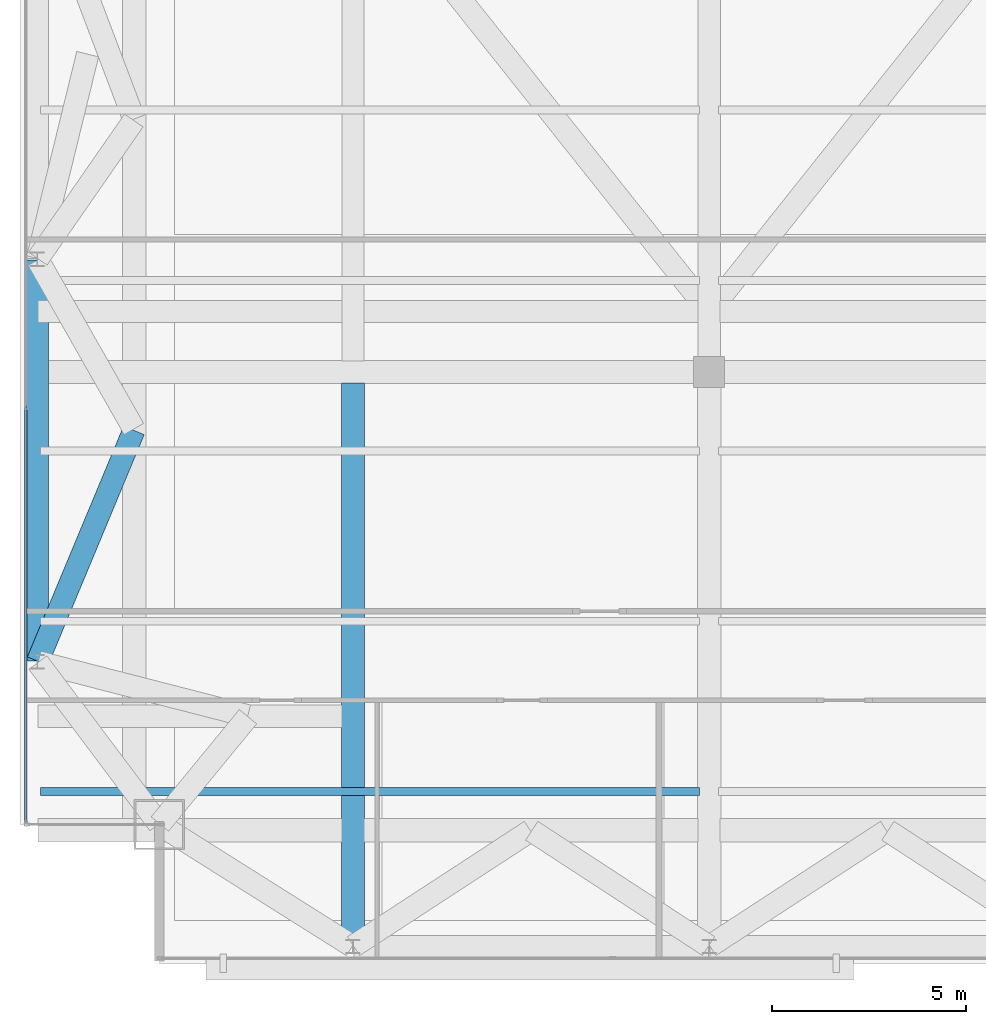
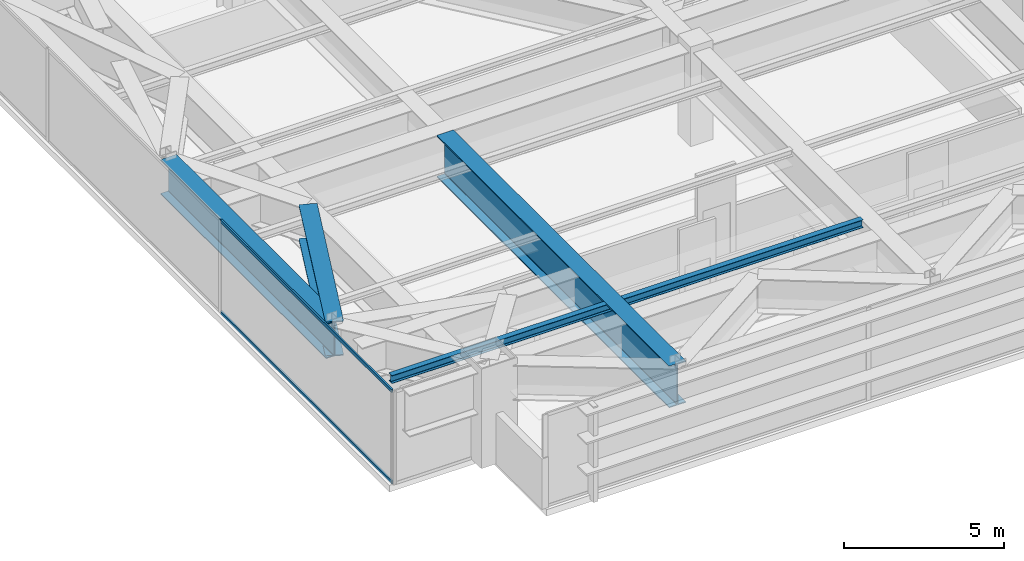
# One storey, part 6 of 26: 4 beams, 2 members, 1 element without a shape of its own.
"""IFC4 building model written with IfcOpenShell, lengths in metres."""

from ifc_helpers import new_model, si_unit, direction, frame, origin, origin_2d, place, context, subcontext, project, spatial, hollow_rectangle, i_section, extrude, source, transform, mapped, material, layer, layer_set, material_profile, profile_set, type_object, type_shapes, element, aggregate, save


model = new_model("IFC4")

# Units and contexts
model_context = context("Model", 3, precision=1e-05, world=origin(), true_north=direction((0.0, 1.0)))
body_context = subcontext(model_context, "Body", "Model", "MODEL_VIEW")
ifc_project = project(units=[si_unit("LENGTHUNIT", "METRE"), si_unit("AREAUNIT", "SQUARE_METRE"), si_unit("VOLUMEUNIT", "CUBIC_METRE"), si_unit("PLANEANGLEUNIT", "RADIAN"), si_unit("MASSUNIT", "GRAM", prefix="KILO")], contexts=[model_context])

# Site, building, storey
site_placement = place(None, origin())
site = spatial("IfcSite", under=ifc_project, at=site_placement, CompositionType="ELEMENT")
building_placement = place(site_placement, origin())
building = spatial("IfcBuilding", under=site, at=building_placement, Name="Varnel Quay Broadcast Tower", CompositionType="ELEMENT")
storey_placement = place(building_placement, frame((0.0, 0.0, 196.0)))
storey = spatial("IfcBuildingStorey", under=building, at=storey_placement, Name="L48", CompositionType="ELEMENT", Elevation=196.0)

# Beams
ifc_material_1 = material(Name="Structural Steel CSA G40.21 350WT", Category="steel")
ifc_material_profile_1 = material_profile(ifc_material_1, i_section(OverallWidth=0.580078125, OverallDepth=1.330078125, WebThickness=0.02197265625, FlangeThickness=0.0380859375, FilletRadius=0.02001953125, at=origin_2d()), Name="WWF1330X535")
ifc_profile_set_1 = profile_set([ifc_material_profile_1], Name="Structural Steel CSA G40.21 350WT")
beam_type_1 = type_object("IfcBeamType", Name="Girder_WWF1330X535", PredefinedType="BEAM", material=ifc_profile_set_1)
shared_shape_1 = source(origin(), body_context, "Body", "SweptSolid", [
    extrude(i_section(OverallWidth=0.580078125, OverallDepth=1.330078125, WebThickness=0.02197265625, FlangeThickness=0.0380859375, FilletRadius=0.02001953125, at=origin_2d()), origin(), (0.0, 0.0, 1.0), 10.35986328125),
])
beam_1_placement = place(storey_placement, frame((7.449951171875, 15.02001953125, 2.885009765625), z_axis=(0.0, 1.0, 0.0), x_axis=(-1.0, 0.0, 0.0)))
element("IfcBeam", 1, at=beam_1_placement, inside=storey, type_object=beam_type_1, Name="L48 West Transfer Spine TC-W1-TC-W2", PredefinedType="BEAM", context=body_context, shape_type="MappedRepresentation", body=[
    mapped(shared_shape_1, transform((0.0, 0.0, 0.0), x_axis=(1.0, 0.0, 0.0), y_axis=(0.0, 1.0, 0.0), z_axis=(0.0, 0.0, 1.0), scale=1.0)),
])
ifc_material_profile_2 = material_profile(ifc_material_1, i_section(OverallWidth=0.60009765625, OverallDepth=1.60009765625, WebThickness=0.02392578125, FlangeThickness=0.0419921875, FilletRadius=0.02197265625, at=origin_2d()), Name="WWF1600X620")
ifc_profile_set_2 = profile_set([ifc_material_profile_2], Name="Structural Steel CSA G40.21 350WT")
beam_type_2 = type_object("IfcBeamType", Name="Girder_WWF1600X620", PredefinedType="BEAM", material=ifc_profile_set_2)
shared_shape_2 = source(origin(), body_context, "Body", "SweptSolid", [
    extrude(i_section(OverallWidth=0.60009765625, OverallDepth=1.60009765625, WebThickness=0.02392578125, FlangeThickness=0.0419921875, FilletRadius=0.02197265625, at=origin_2d()), origin(), (0.0, 0.0, 1.0), 14.53515625),
])
type_shapes(beam_type_2, [shared_shape_2])
beam_2_placement = place(storey_placement, frame((15.60009765625, 7.669921875, 2.75), z_axis=(0.0, 1.0, 0.0), x_axis=(-1.0, 0.0, 0.0)))
element("IfcBeam", 2, at=beam_2_placement, inside=storey, type_object=beam_type_2, Name="L48 N-S Transfer Girder 1A", PredefinedType="BEAM", context=body_context, shape_type="MappedRepresentation", body=[
    mapped(shared_shape_2, transform((0.0, 0.0, 0.0), x_axis=(1.0, 0.0, 0.0), y_axis=(0.0, 1.0, 0.0), z_axis=(0.0, 0.0, 1.0), scale=1.0)),
])
shared_shape_3 = source(origin(), body_context, "Body", "SweptSolid", [
    extrude(i_section(OverallWidth=0.580078125, OverallDepth=1.330078125, WebThickness=0.02197265625, FlangeThickness=0.0380859375, FilletRadius=0.02001953125, at=origin_2d()), origin(), (0.0, 0.0, 1.0), 6.459716796875),
])
type_shapes(beam_type_1, [shared_shape_1, shared_shape_3])
beam_3_placement = place(storey_placement, frame((7.457763671875, 15.0185546875, 2.885009765625), z_axis=(0.384626118884, 0.923072450392, 0.0), x_axis=(-0.923072450392, 0.384626118884, 0.0)))
element("IfcBeam", 3, at=beam_3_placement, inside=storey, type_object=beam_type_1, Name="L48 Nodal Transfer Tie TC-W1-TC-W1", PredefinedType="BEAM", context=body_context, shape_type="MappedRepresentation", body=[
    mapped(shared_shape_3, transform((0.0, 0.0, 0.0), x_axis=(1.0, 0.0, 0.0), y_axis=(0.0, 1.0, 0.0), z_axis=(0.0, 0.0, 1.0), scale=1.0)),
])
ifc_material_2 = material(Name="Structural Steel CSA G40.21 350W", Category="steel")
ifc_material_profile_3 = material_profile(ifc_material_2, i_section(OverallWidth=0.202880859375, OverallDepth=0.302978515625, WebThickness=0.007568359375, FlangeThickness=0.01318359375, FilletRadius=0.011962890625, at=origin_2d()), Name="W310X60")
ifc_profile_set_3 = profile_set([ifc_material_profile_3], Name="Structural Steel CSA G40.21 350W")
beam_type_3 = type_object("IfcBeamType", Name="Beam_W310X60", PredefinedType="JOIST", material=ifc_profile_set_3)
shared_shape_4 = source(origin(), body_context, "Body", "SweptSolid", [
    extrude(i_section(OverallWidth=0.202880859375, OverallDepth=0.302978515625, WebThickness=0.007568359375, FlangeThickness=0.01318359375, FilletRadius=0.011962890625, at=origin_2d()), origin(), (0.0, 0.0, 1.0), 17.01953125),
])
type_shapes(beam_type_3, [shared_shape_4])
beam_4_placement = place(storey_placement, frame((7.535400390625, 11.64990234375, 3.3984375), z_axis=(1.0, 0.0, 0.0), x_axis=(0.0, 1.0, 0.0)))
element("IfcBeam", 4, at=beam_4_placement, inside=storey, type_object=beam_type_3, Name="L48 West Floor Joist 1", PredefinedType="JOIST", context=body_context, shape_type="MappedRepresentation", body=[
    mapped(shared_shape_4, transform((0.0, 0.0, 0.0), x_axis=(1.0, 0.0, 0.0), y_axis=(0.0, 1.0, 0.0), z_axis=(0.0, 0.0, 1.0), scale=1.0)),
])

# Curtain wall, members
ifc_material_3 = material(Name="Anodised Bronze Aluminium 6063-T6", Category="aluminium")
ifc_layer = layer(ifc_material_3, 0.18994140625, Name="Anodised Bronze Aluminium 6063-T6")
ifc_layer_set = layer_set([ifc_layer], Name="Anodised Bronze Aluminium 6063-T6")
curtain_wall_type = type_object("IfcCurtainWallType", Name="CW_UpperTower", PredefinedType="NOTDEFINED", material=ifc_layer_set)
curtain_wall_placement = place(storey_placement, origin())
curtain_wall = element("IfcCurtainWall", 5, at=curtain_wall_placement, inside=storey, type_object=curtain_wall_type, Name="L48 West Unitised Curtain Wall", PredefinedType="NOTDEFINED")
ifc_material_profile_4 = material_profile(ifc_material_3, hollow_rectangle(XDim=0.06005859375, YDim=0.125, WallThickness=0.0029296875, at=origin_2d()), Name="ALU60X125X3")
ifc_profile_set_4 = profile_set([ifc_material_profile_4], Name="Anodised Bronze Aluminium 6063-T6")
member_type = type_object("IfcMemberType", Name="Tran_CWS-03", PredefinedType="USERDEFINED", material=ifc_profile_set_4)
shared_shape_5 = source(origin(), body_context, "Body", "SweptSolid", [
    extrude(hollow_rectangle(XDim=0.06005859375, YDim=0.125, WallThickness=0.0029296875, at=origin_2d()), origin(), (0.0, 0.0, 1.0), 10.702392578125),
])
type_shapes(member_type, [shared_shape_5])
member_1_placement = place(storey_placement, frame((7.14990234375, 10.864990234375, 0.030029296875), z_axis=(0.0, 1.0, 0.0), x_axis=(-1.0, 0.0, 0.0)))
member_1 = element("IfcMember", 6, at=member_1_placement, type_object=member_type, Name="CWS-03 transom 1.1", ObjectType="TRANSOM", PredefinedType="USERDEFINED", context=body_context, shape_type="MappedRepresentation", body=[
    mapped(shared_shape_5, transform((0.0, 0.0, 0.0), x_axis=(1.0, 0.0, 0.0), y_axis=(0.0, 1.0, 0.0), z_axis=(0.0, 0.0, 1.0), scale=1.0)),
])
member_2_placement = place(storey_placement, frame((7.14990234375, 10.864990234375, 3.52001953125), z_axis=(0.0, 1.0, 0.0), x_axis=(-1.0, 0.0, 0.0)))
member_2 = element("IfcMember", 7, at=member_2_placement, type_object=member_type, Name="CWS-03 transom 1.2", ObjectType="TRANSOM", PredefinedType="USERDEFINED", context=body_context, shape_type="MappedRepresentation", body=[
    mapped(shared_shape_5, transform((0.0, 0.0, 0.0), x_axis=(1.0, 0.0, 0.0), y_axis=(0.0, 1.0, 0.0), z_axis=(0.0, 0.0, 1.0), scale=1.0)),
])
aggregate(curtain_wall, [member_1, member_2])

save(model, "model.ifc")
